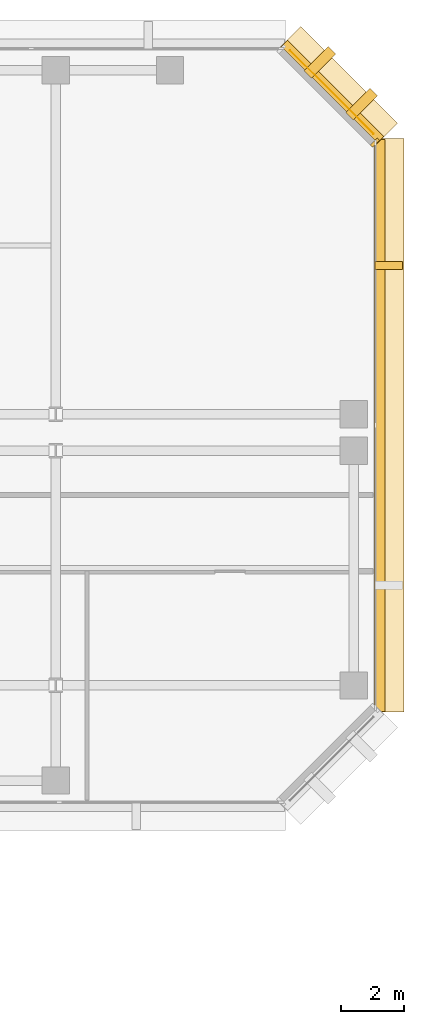
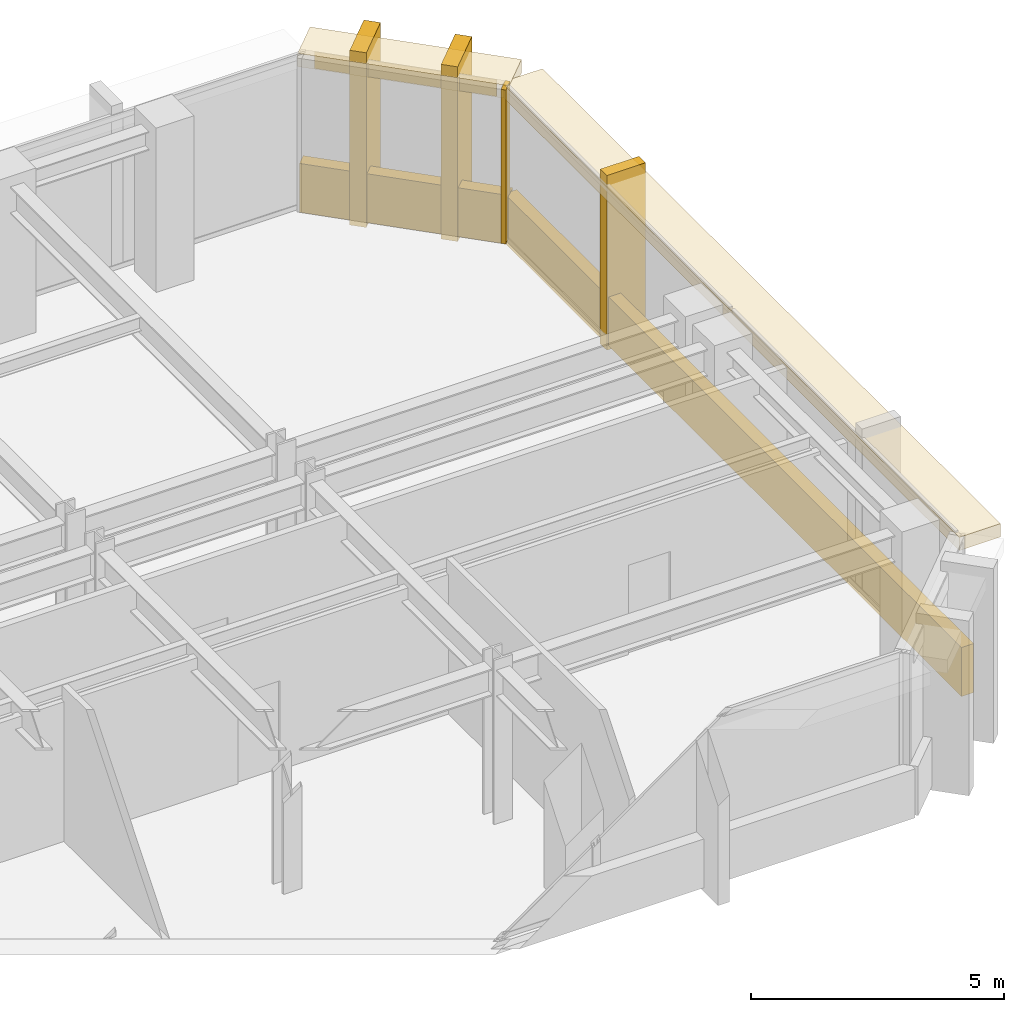
# One storey, part 12 of 12: 9 coverings.
"""IFC4 building model written with IfcOpenShell, lengths in metres."""

from ifc_helpers import new_model, si_unit, direction, frame, origin, origin_2d, place, context, subcontext, project, spatial, rectangle, extrude, material, layer, layer_set, type_object, element, save


model = new_model("IFC4")

# Units and contexts
model_context = context("Model", 3, precision=1e-05, world=origin(), true_north=direction((0.0, 1.0)))
body_context = subcontext(model_context, "Body", "Model", "MODEL_VIEW")
ifc_project = project(units=[si_unit("LENGTHUNIT", "METRE"), si_unit("AREAUNIT", "SQUARE_METRE"), si_unit("VOLUMEUNIT", "CUBIC_METRE"), si_unit("PLANEANGLEUNIT", "RADIAN"), si_unit("MASSUNIT", "GRAM", prefix="KILO")], contexts=[model_context])

# Site, building, storey
site_placement = place(None, origin())
site = spatial("IfcSite", under=ifc_project, at=site_placement, CompositionType="ELEMENT")
building_placement = place(site_placement, origin())
building = spatial("IfcBuilding", under=site, at=building_placement, Name="Kefirva Bronze Tower", CompositionType="ELEMENT")
storey_placement = place(building_placement, frame((0.0, 0.0, 114.510009765625)))
storey = spatial("IfcBuildingStorey", under=building, at=storey_placement, Name="L27", CompositionType="ELEMENT", Elevation=114.510009765625)

# Coverings
ifc_material = material(Name="Bronze anodised aluminium", Category="aluminium")
ifc_layer_1 = layer(ifc_material, 0.02001953125, Name="Bronze anodised aluminium")
ifc_layer_set_1 = layer_set([ifc_layer_1], Name="Bronze anodised aluminium")
covering_type_1 = type_object("IfcCoveringType", Name="Anodised Bronze Spandrel Cladding 20mm", PredefinedType="CLADDING", material=ifc_layer_set_1)
covering_1_placement = place(storey_placement, frame((50.239990234375, 34.0, -0.16015625), z_axis=(0.0, 0.0, 1.0), x_axis=(0.0, 1.0, 0.0)))
element("IfcCovering", 1, at=covering_1_placement, inside=storey, type_object=covering_type_1, Name="L27 Streamline Horizontal Spandrel Band 6", PredefinedType="CLADDING", context=body_context, shape_type="SweptSolid", body=[
    extrude(rectangle(XDim=18.0400390625, YDim=0.280029296875, at=origin_2d()), origin(), (0.0, 0.0, 1.0), 1.179931640625),
])
covering_2_placement = place(storey_placement, frame((48.70703125, 44.507080078125, 3.2900390625), z_axis=(0.0, 0.0, 1.0), x_axis=(-0.707106781187, 0.707106781187, 0.0)))
element("IfcCovering", 2, at=covering_2_placement, inside=storey, type_object=covering_type_1, Name="L27 Bronze Spandrel Cladding 4", PredefinedType="CLADDING", context=body_context, shape_type="SweptSolid", body=[
    extrude(rectangle(XDim=3.719482421875, YDim=0.02001953125, at=origin_2d()), origin(), (0.0, 0.0, 1.0), 0.39990234375),
])
covering_3_placement = place(storey_placement, frame((50.06201171875, 42.91162109375, 0.0), z_axis=(0.0, 0.0, 1.0), x_axis=(-0.707106781187, 0.707106781187, 0.0)))
element("IfcCovering", 3, at=covering_3_placement, inside=storey, type_object=covering_type_1, Name="L27 Facade Joint Closure Panel 4S", PredefinedType="CLADDING", context=body_context, shape_type="SweptSolid", body=[
    extrude(rectangle(XDim=0.10009765625, YDim=0.320068359375, at=origin_2d()), origin(), (0.0, 0.0, 1.0), 3.7099609375),
])
covering_4_placement = place(storey_placement, frame((48.728271484375, 44.5283203125, -0.16015625), z_axis=(0.0, 0.0, 1.0), x_axis=(-0.707106781187, 0.707106781187, 0.0)))
element("IfcCovering", 4, at=covering_4_placement, inside=storey, type_object=covering_type_1, Name="L27 Streamline Horizontal Spandrel Band 7", PredefinedType="CLADDING", context=body_context, shape_type="SweptSolid", body=[
    extrude(rectangle(XDim=4.28271484375, YDim=0.280029296875, at=origin_2d()), origin(), (0.0, 0.0, 1.0), 1.179931640625),
])
ifc_layer_2 = layer(ifc_material, 0.179931640625, Name="Bronze anodised aluminium")
ifc_layer_set_2 = layer_set([ifc_layer_2], Name="Bronze anodised aluminium")
covering_type_2 = type_object("IfcCoveringType", Name="Streamline Bronze Sunshade Eyebrow Cladding 180mm", PredefinedType="CLADDING", material=ifc_layer_set_2)
covering_5_placement = place(storey_placement, frame((50.510009765625, 34.0, 3.39013671875), z_axis=(0.0, 0.0, 1.0), x_axis=(0.0, 1.0, 0.0)))
element("IfcCovering", 5, at=covering_5_placement, inside=storey, type_object=covering_type_2, Name="L27 Streamline Bronze Sunshade Eyebrow 6", PredefinedType="CLADDING", context=body_context, shape_type="SweptSolid", body=[
    extrude(rectangle(XDim=18.080078125, YDim=0.93994140625, at=origin_2d()), origin(), (0.0, 0.0, 1.0), 0.320068359375),
])
covering_6_placement = place(storey_placement, frame((48.919189453125, 44.71923828125, 3.39013671875), z_axis=(0.0, 0.0, 1.0), x_axis=(-0.707106781187, 0.707106781187, 0.0)))
element("IfcCovering", 6, at=covering_6_placement, inside=storey, type_object=covering_type_2, Name="L27 Streamline Bronze Sunshade Eyebrow 7", PredefinedType="CLADDING", context=body_context, shape_type="SweptSolid", body=[
    extrude(rectangle(XDim=4.322509765625, YDim=0.93994140625, at=origin_2d()), origin(), (0.0, 0.0, 1.0), 0.320068359375),
])
ifc_layer_3 = layer(ifc_material, 0.260009765625, Name="Bronze anodised aluminium")
ifc_layer_set_3 = layer_set([ifc_layer_3], Name="Bronze anodised aluminium")
covering_type_3 = type_object("IfcCoveringType", Name="Unbroken Bronze Buttress Fin Cladding 260mm", PredefinedType="CLADDING", material=ifc_layer_set_3)
covering_7_placement = place(storey_placement, frame((50.5, 39.0400390625, -0.25), z_axis=(0.0, 0.0, 1.0), x_axis=(0.0, 1.0, 0.0)))
element("IfcCovering", 7, at=covering_7_placement, inside=storey, type_object=covering_type_3, Name="L27 Unbroken Vertical Bronze Rib Fin 14", PredefinedType="CLADDING", context=body_context, shape_type="SweptSolid", body=[
    extrude(rectangle(XDim=0.260009765625, YDim=0.8798828125, at=origin_2d()), origin(), (0.0, 0.0, 1.0), 4.2099609375),
])
for number, where, z_axis, x_axis, name in (
    (8, (49.642822265625, 44.122802734375, -0.25), (0.0, 0.0, 1.0), (-0.707106781187, 0.707106781187, 0.0), "L27 Chamfered Corner Buttress Fin Cladding 15"),
    (9, (48.32275390625, 45.44287109375, -0.25), (0.0, 0.0, 1.0), (-0.707106781187, 0.707106781187, 0.0), "L27 Chamfered Corner Buttress Fin Cladding 16"),
):
    element("IfcCovering", number, at=place(storey_placement, frame(where, z_axis=z_axis, x_axis=x_axis)), inside=storey, type_object=covering_type_3, Name=name, PredefinedType="CLADDING", context=body_context, shape_type="SweptSolid", body=[
        extrude(rectangle(XDim=0.340087890625, YDim=1.080078125, at=origin_2d()), origin(), (0.0, 0.0, 1.0), 4.2099609375),
    ])

save(model, "model.ifc")
